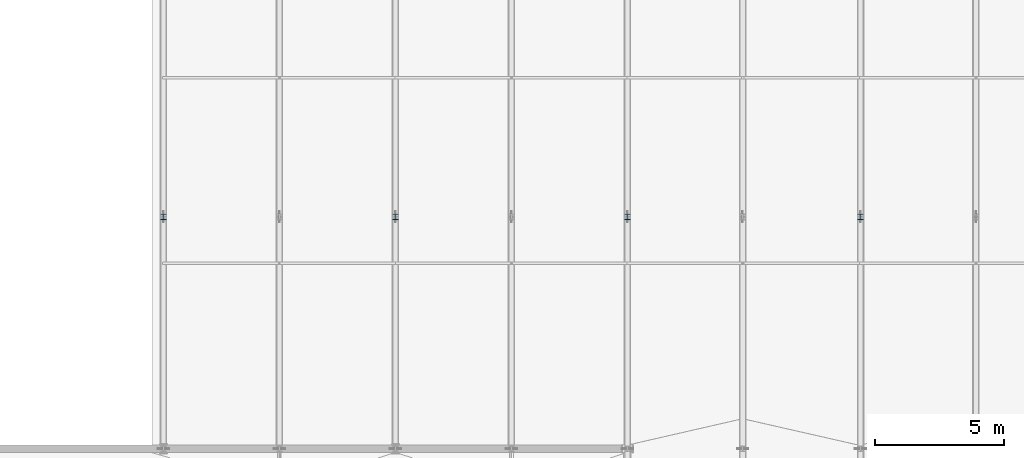
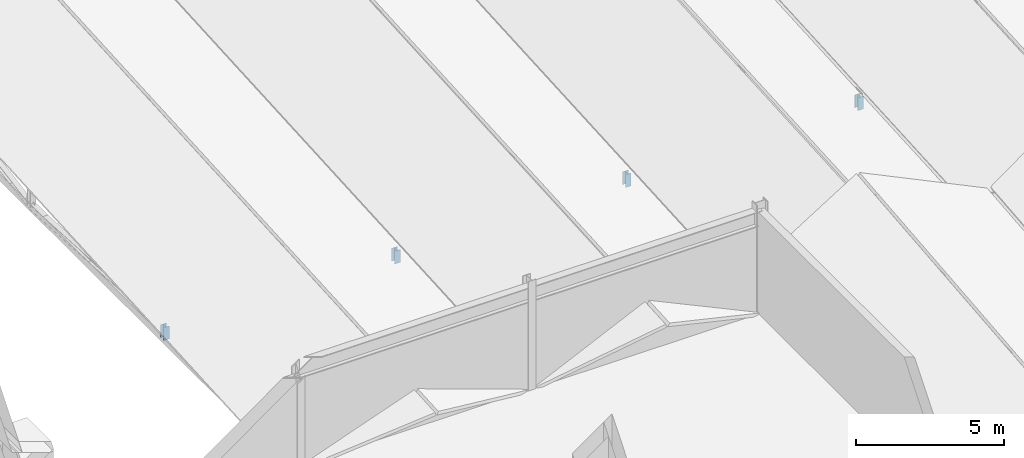
# One storey, part 96 of 142: 4 members.
"""IFC4 building model written with IfcOpenShell, lengths in metres."""

from ifc_helpers import new_model, si_unit, direction, frame, origin, origin_2d, place, context, subcontext, project, spatial, i_section, extrude, material, material_profile, profile_set, type_object, element, save


model = new_model("IFC4")

# Units and contexts
model_context = context("Model", 3, precision=1e-05, world=origin(), true_north=direction((0.0, 1.0)))
body_context = subcontext(model_context, "Body", "Model", "MODEL_VIEW")
ifc_project = project(units=[si_unit("LENGTHUNIT", "METRE"), si_unit("AREAUNIT", "SQUARE_METRE"), si_unit("VOLUMEUNIT", "CUBIC_METRE"), si_unit("PLANEANGLEUNIT", "RADIAN"), si_unit("MASSUNIT", "GRAM", prefix="KILO")], contexts=[model_context])

# Site, building, storey
site_placement = place(None, origin())
site = spatial("IfcSite", under=ifc_project, at=site_placement, CompositionType="ELEMENT")
building_placement = place(site_placement, origin())
building = spatial("IfcBuilding", under=site, at=building_placement, Name="Montelvaro Courts of Justice", CompositionType="ELEMENT")
storey_placement = place(building_placement, frame((0.0, 0.0, 14.39990234375)))
storey = spatial("IfcBuildingStorey", under=building, at=storey_placement, Name="L03", CompositionType="ELEMENT", Elevation=14.39990234375)

# Members
ifc_material = material(Name="Steel S355", Category="steel")
ifc_material_profile = material_profile(ifc_material, i_section(OverallWidth=0.219970703125, OverallDepth=0.2099609375, WebThickness=0.007080078125, FlangeThickness=0.010986328125, at=origin_2d()), Name="HEA 220")
ifc_profile_set = profile_set([ifc_material_profile], Name="Steel S355")
member_type = type_object("IfcMemberType", Name="Mem_HEA220_Post", PredefinedType="POST", material=ifc_profile_set)
for number, where, z_axis, x_axis, name in (
    (1, (54.0, 51.0, -0.2998046875), (0.0, 0.0, 1.0), (1.0, 0.0, 0.0), "Roof Truss Post MP-03 ROOF-PASSAGE-VTR01-V1"),
    (2, (63.0, 51.0, -0.2998046875), (0.0, 0.0, 1.0), (1.0, 0.0, 0.0), "Roof Truss Post MP-03 ROOF-PASSAGE-VTR02-V1"),
    (3, (72.0, 51.0, -0.2998046875), (0.0, 0.0, 1.0), (1.0, 0.0, 0.0), "Roof Truss Post MP-03 ROOF-PASSAGE-VTR03-V1"),
    (4, (81.050048828125, 51.0, -0.2998046875), (0.0, 0.0, 1.0), (1.0, 0.0, 0.0), "Roof Truss Post MP-03 ROOF-PASSAGE-VTR04-V1"),
):
    element("IfcMember", number, at=place(storey_placement, frame(where, z_axis=z_axis, x_axis=x_axis)), inside=storey, type_object=member_type, Name=name, PredefinedType="POST", context=body_context, shape_type="SweptSolid", body=[
        extrude(i_section(OverallWidth=0.219970703125, OverallDepth=0.2099609375, WebThickness=0.007080078125, FlangeThickness=0.010986328125, at=origin_2d()), origin(), (0.0, 0.0, 1.0), 0.52978515625),
    ])

save(model, "model.ifc")
